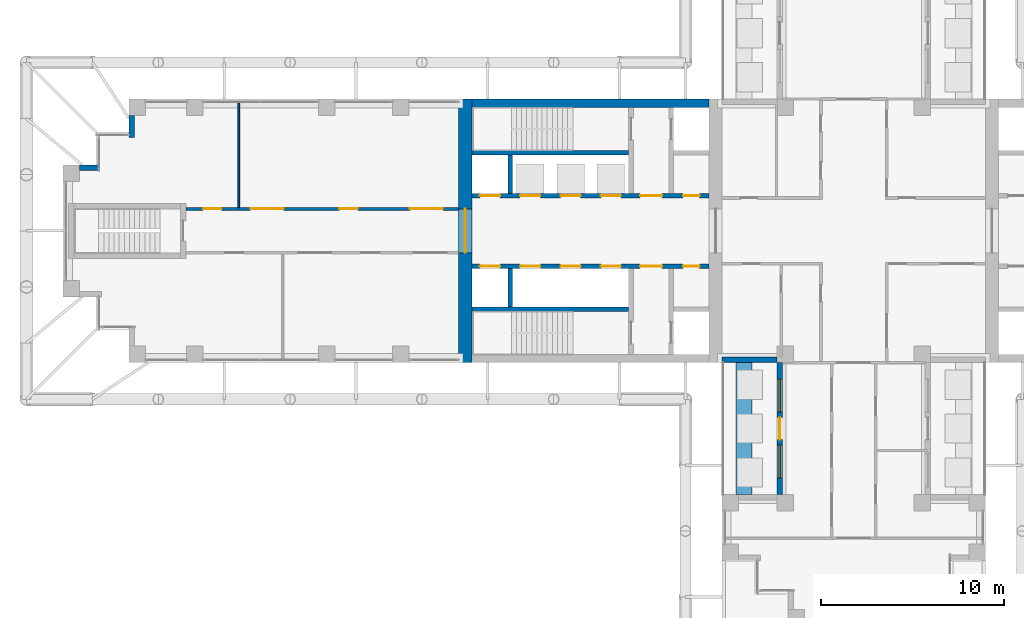
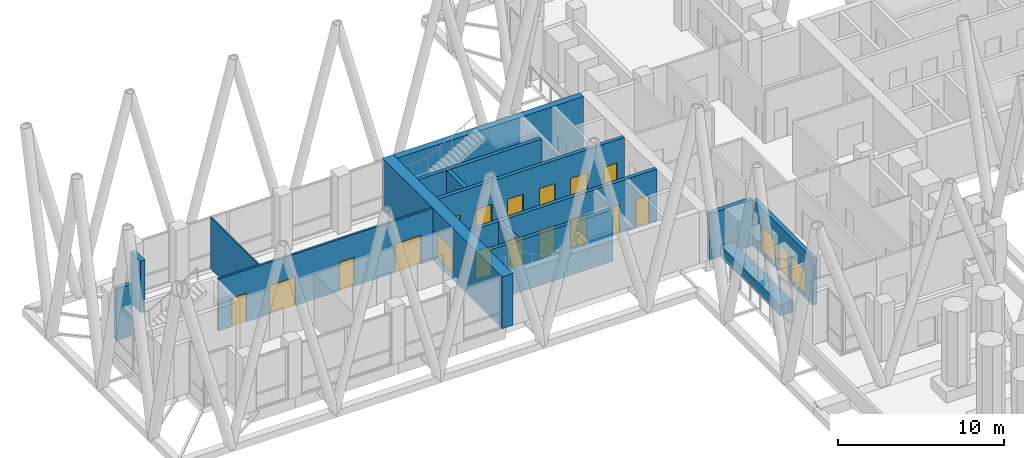
# One storey, part 14 of 22: 18 doors, 15 walls, 2 windows, 20 openings.
"""IFC4 building model written with IfcOpenShell, lengths in metres."""

from ifc_helpers import new_model, si_unit, direction, frame, frame_2d, origin, place, context, subcontext, project, spatial, rectangle, extrude, material, layer, layer_set, type_object, element, fill, save


model = new_model("IFC4")

# Units and contexts
model_context = context("Model", 3, precision=1e-05, world=origin(), true_north=direction((0.0, 1.0)))
body_context = subcontext(model_context, "Body", "Model", "MODEL_VIEW")
ifc_project = project(units=[si_unit("LENGTHUNIT", "METRE"), si_unit("AREAUNIT", "SQUARE_METRE"), si_unit("VOLUMEUNIT", "CUBIC_METRE"), si_unit("PLANEANGLEUNIT", "RADIAN"), si_unit("MASSUNIT", "GRAM", prefix="KILO")], contexts=[model_context])

# Site, building, storey
site_placement = place(None, origin())
site = spatial("IfcSite", under=ifc_project, at=site_placement, CompositionType="ELEMENT")
building_placement = place(site_placement, origin())
building = spatial("IfcBuilding", under=site, at=building_placement, Name="Fustian Cross Tower", CompositionType="ELEMENT")
storey_placement = place(building_placement, frame((0.0, 0.0, 116.10009765625)))
storey = spatial("IfcBuildingStorey", under=building, at=storey_placement, Name="L36", CompositionType="ELEMENT", Elevation=116.10009765625)

# Wall, openings, doors
ifc_material_1 = material(Name="Plasterboard on steel stud", Category="steel")
ifc_layer_1 = layer(ifc_material_1, 0.14990234375)
ifc_layer_set_1 = layer_set([ifc_layer_1], Name="Plasterboard on steel stud")
wall_type_1 = type_object("IfcWallType", Name="COMPARTMENT WALL 150 EI 60", PredefinedType="PARTITIONING", material=ifc_layer_set_1)
wall_1_placement = place(storey_placement, frame((-36.5, 1.199951171875, 0.0), z_axis=(0.0, 0.0, 1.0), x_axis=(1.0, 0.0, 0.0)))
wall_1 = element("IfcWall", 1, at=wall_1_placement, inside=storey, type_object=wall_type_1, Name="Partition 2", PredefinedType="PARTITIONING", context=body_context, shape_type="SweptSolid", body=[
    extrude(rectangle(XDim=14.89990234375, YDim=0.14990234375, at=frame_2d((7.449951171875, 0.0))), origin(), (0.0, 0.0, 1.0), 3.7998046875),
])
opening_1_placement = place(wall_1_placement, frame((3.550048828125, 0.0, 0.0)))
opening_1 = element("IfcOpeningElement", 2, at=opening_1_placement, cuts=wall_1, Name="Opening D17031", PredefinedType="OPENING", context=body_context, shape_type="SweptSolid", body=[
    extrude(rectangle(XDim=1.800048828125, YDim=2.10009765625, at=frame_2d((0.89990234375, 1.050048828125))), frame((0.0, 0.0849609375, 0.0), z_axis=(0.0, -1.0, 0.0), x_axis=(1.0, 0.0, 0.0)), (0.0, 0.0, 1.0), 0.169921875),
])
opening_2_placement = place(wall_1_placement, frame((8.39990234375, 0.0, 0.0)))
opening_2 = element("IfcOpeningElement", 3, at=opening_2_placement, cuts=wall_1, Name="Opening D17032", PredefinedType="OPENING", context=body_context, shape_type="SweptSolid", body=[
    extrude(rectangle(XDim=1.0, YDim=2.10009765625, at=frame_2d((0.5, 1.050048828125))), frame((0.0, 0.0849609375, 0.0), z_axis=(0.0, -1.0, 0.0), x_axis=(1.0, 0.0, 0.0)), (0.0, 0.0, 1.0), 0.169921875),
])
opening_3_placement = place(wall_1_placement, frame((12.25, 0.0, 0.0)))
opening_3 = element("IfcOpeningElement", 4, at=opening_3_placement, cuts=wall_1, Name="Opening D17033", PredefinedType="OPENING", context=body_context, shape_type="SweptSolid", body=[
    extrude(rectangle(XDim=1.800048828125, YDim=2.10009765625, at=frame_2d((0.89990234375, 1.050048828125))), frame((0.0, 0.0849609375, 0.0), z_axis=(0.0, -1.0, 0.0), x_axis=(1.0, 0.0, 0.0)), (0.0, 0.0, 1.0), 0.169921875),
])
opening_4_placement = place(wall_1_placement, frame((0.949951171875, 0.0, 0.0)))
opening_4 = element("IfcOpeningElement", 5, at=opening_4_placement, cuts=wall_1, Name="Opening D17034", PredefinedType="OPENING", context=body_context, shape_type="SweptSolid", body=[
    extrude(rectangle(XDim=1.0, YDim=2.10009765625, at=frame_2d((0.5, 1.050048828125))), frame((0.0, 0.0849609375, 0.0), z_axis=(0.0, -1.0, 0.0), x_axis=(1.0, 0.0, 0.0)), (0.0, 0.0, 1.0), 0.169921875),
])
ifc_material_2 = material(Name="Timber fire door set", Category="wood")
door_type_1 = type_object("IfcDoorType", Name="FIRE DOUBLE DOOR 1800 FD30S", OperationType="DOUBLE_DOOR_DOUBLE_SWING", PredefinedType="DOOR", material=ifc_material_2)
door_1_placement = place(opening_1_placement, frame((1.800048828125, 0.0, 0.0), z_axis=(0.0, 0.0, 1.0), x_axis=(-1.0, 0.0, 0.0)))
door_1 = element("IfcDoor", 6, at=door_1_placement, inside=storey, type_object=door_type_1, Name="Door D17031", OperationType="DOUBLE_DOOR_DOUBLE_SWING", OverallHeight=2.10009765625, OverallWidth=1.800048828125, PredefinedType="DOOR", context=body_context, shape_type="SweptSolid", body=[
    extrude(rectangle(XDim=1.800048828125, YDim=2.10009765625, at=frame_2d((0.89990234375, 1.050048828125))), frame((0.0, 0.02490234375, 0.0), z_axis=(0.0, -1.0, 0.0), x_axis=(1.0, 0.0, 0.0)), (0.0, 0.0, 1.0), 0.050048828125),
])
fill(opening_1, door_1)
door_2_placement = place(opening_3_placement, frame((1.800048828125, 0.0, 0.0), z_axis=(0.0, 0.0, 1.0), x_axis=(-1.0, 0.0, 0.0)))
door_2 = element("IfcDoor", 7, at=door_2_placement, inside=storey, type_object=door_type_1, Name="Door D17033", OperationType="DOUBLE_DOOR_DOUBLE_SWING", OverallHeight=2.10009765625, OverallWidth=1.800048828125, PredefinedType="DOOR", context=body_context, shape_type="SweptSolid", body=[
    extrude(rectangle(XDim=1.800048828125, YDim=2.10009765625, at=frame_2d((0.89990234375, 1.050048828125))), frame((0.0, 0.02490234375, 0.0), z_axis=(0.0, -1.0, 0.0), x_axis=(1.0, 0.0, 0.0)), (0.0, 0.0, 1.0), 0.050048828125),
])
fill(opening_3, door_2)
ifc_material_3 = material(Name="Timber fire door set", Category="wood")
door_type_2 = type_object("IfcDoorType", Name="FIRE SWING DOOR 1000 FD30S", OperationType="SINGLE_SWING_LEFT", PredefinedType="DOOR", material=ifc_material_3)
door_3_placement = place(opening_2_placement, origin())
door_3 = element("IfcDoor", 8, at=door_3_placement, inside=storey, type_object=door_type_2, Name="Door D17032", OperationType="SINGLE_SWING_LEFT", OverallHeight=2.10009765625, OverallWidth=1.0, PredefinedType="DOOR", context=body_context, shape_type="SweptSolid", body=[
    extrude(rectangle(XDim=1.0, YDim=2.10009765625, at=frame_2d((0.5, 1.050048828125))), frame((0.0, 0.02490234375, 0.0), z_axis=(0.0, -1.0, 0.0), x_axis=(1.0, 0.0, 0.0)), (0.0, 0.0, 1.0), 0.050048828125),
])
fill(opening_2, door_3)
door_4_placement = place(opening_4_placement, origin())
door_4 = element("IfcDoor", 9, at=door_4_placement, inside=storey, type_object=door_type_2, Name="Door D17034", OperationType="SINGLE_SWING_RIGHT", OverallHeight=2.10009765625, OverallWidth=1.0, PredefinedType="DOOR", context=body_context, shape_type="SweptSolid", body=[
    extrude(rectangle(XDim=1.0, YDim=2.10009765625, at=frame_2d((0.5, 1.050048828125))), frame((0.0, 0.02490234375, 0.0), z_axis=(0.0, -1.0, 0.0), x_axis=(1.0, 0.0, 0.0)), (0.0, 0.0, 1.0), 0.050048828125),
])
fill(opening_4, door_4)

# Wall, opening, door
ifc_material_4 = material(Name="Concrete C60/75", Category="concrete")
ifc_layer_2 = layer(ifc_material_4, 0.75)
ifc_layer_set_2 = layer_set([ifc_layer_2], Name="Concrete C60/75")
wall_type_2 = type_object("IfcWallType", Name="CORE END WALL 750 C60/75", PredefinedType="SHEAR", material=ifc_layer_set_2)
wall_2_placement = place(storey_placement, frame((-21.22509765625, -7.199951171875, 0.0), z_axis=(0.0, 0.0, 1.0), x_axis=(0.0, 1.0, 0.0)))
wall_2 = element("IfcWall", 10, at=wall_2_placement, inside=storey, type_object=wall_type_2, Name="Core end wall", PredefinedType="SHEAR", context=body_context, shape_type="SweptSolid", body=[
    extrude(rectangle(XDim=14.39990234375, YDim=0.75, at=frame_2d((7.199951171875, 0.0))), origin(), (0.0, 0.0, 1.0), 3.7998046875),
])
opening_5_placement = place(wall_2_placement, frame((6.0, 0.0, 0.0)))
opening_5 = element("IfcOpeningElement", 11, at=opening_5_placement, cuts=wall_2, Name="Opening CD-14-36", PredefinedType="OPENING", context=body_context, shape_type="SweptSolid", body=[
    extrude(rectangle(XDim=2.39990234375, YDim=2.199951171875, at=frame_2d((1.199951171875, 1.10009765625))), frame((0.0, 0.385009765625, 0.0), z_axis=(0.0, -1.0, 0.0), x_axis=(1.0, 0.0, 0.0)), (0.0, 0.0, 1.0), 0.77001953125),
])
ifc_material_5 = material(Name="Steel", Category="steel")
door_type_3 = type_object("IfcDoorType", Name="FIRE DOOR FD30S DOUBLE 2400X2200", OperationType="DOUBLE_DOOR_DOUBLE_SWING", PredefinedType="DOOR", material=ifc_material_5)
door_5_placement = place(opening_5_placement, frame((2.39990234375, 0.0, 0.0), z_axis=(0.0, 0.0, 1.0), x_axis=(-1.0, 0.0, 0.0)))
door_5 = element("IfcDoor", 12, at=door_5_placement, inside=storey, type_object=door_type_3, Name="Core door CD-14-36", OperationType="DOUBLE_DOOR_DOUBLE_SWING", OverallHeight=2.199951171875, OverallWidth=2.39990234375, PredefinedType="DOOR", context=body_context, shape_type="SweptSolid", body=[
    extrude(rectangle(XDim=2.39990234375, YDim=2.199951171875, at=frame_2d((1.199951171875, 1.10009765625))), frame((0.0, 0.02490234375, 0.0), z_axis=(0.0, -1.0, 0.0), x_axis=(1.0, 0.0, 0.0)), (0.0, 0.0, 1.0), 0.050048828125),
])
fill(opening_5, door_5)

# Wall
ifc_material_6 = material(Name="Concrete C60/75", Category="concrete")
ifc_layer_3 = layer(ifc_material_6, 0.449951171875)
ifc_layer_set_3 = layer_set([ifc_layer_3], Name="Concrete C60/75")
wall_type_3 = type_object("IfcWallType", Name="CORE FACADE WALL 450 C60/75", PredefinedType="SHEAR", material=ifc_layer_set_3)
wall_3_placement = place(storey_placement, frame((-7.89990234375, 6.97509765625, 0.0), z_axis=(0.0, 0.0, 1.0), x_axis=(-1.0, 0.0, 0.0)))
element("IfcWall", 13, at=wall_3_placement, inside=storey, type_object=wall_type_3, Name="Core facade wall", PredefinedType="SHEAR", context=body_context, shape_type="SweptSolid", body=[
    extrude(rectangle(XDim=12.9501953125, YDim=0.449951171875, at=frame_2d((6.47509765625, 0.0))), origin(), (0.0, 0.0, 1.0), 3.7998046875),
])

# Wall, openings, doors
ifc_material_7 = material(Name="Concrete C50/60", Category="concrete")
ifc_layer_4 = layer(ifc_material_7, 0.25)
ifc_layer_set_4 = layer_set([ifc_layer_4], Name="Concrete C50/60")
wall_type_4 = type_object("IfcWallType", Name="CORE LOBBY WALL 250 C50/60", PredefinedType="SHEAR", material=ifc_layer_set_4)
wall_4_placement = place(storey_placement, frame((-7.89990234375, 1.925048828125, 0.0), z_axis=(0.0, 0.0, 1.0), x_axis=(-1.0, 0.0, 0.0)))
wall_4 = element("IfcWall", 14, at=wall_4_placement, inside=storey, type_object=wall_type_4, Name="Core lobby wall", PredefinedType="SHEAR", context=body_context, shape_type="SweptSolid", body=[
    extrude(rectangle(XDim=12.9501953125, YDim=0.25, at=frame_2d((6.47509765625, 0.0))), origin(), (0.0, 0.0, 1.0), 3.7998046875),
])
opening_6_placement = place(wall_4_placement, frame((4.824951171875, 0.0, 0.0)))
opening_6 = element("IfcOpeningElement", 15, at=opening_6_placement, cuts=wall_4, Name="Opening LD", PredefinedType="OPENING", context=body_context, shape_type="SweptSolid", body=[
    extrude(rectangle(XDim=1.10009765625, YDim=2.10009765625, at=frame_2d((0.550048828125, 1.050048828125))), frame((0.0, 0.135009765625, 0.0), z_axis=(0.0, -1.0, 0.0), x_axis=(1.0, 0.0, 0.0)), (0.0, 0.0, 1.0), 0.27001953125),
])
opening_7_placement = place(wall_4_placement, frame((7.02490234375, 0.0, 0.0)))
opening_7 = element("IfcOpeningElement", 16, at=opening_7_placement, cuts=wall_4, Name="Opening LD", PredefinedType="OPENING", context=body_context, shape_type="SweptSolid", body=[
    extrude(rectangle(XDim=1.10009765625, YDim=2.10009765625, at=frame_2d((0.550048828125, 1.050048828125))), frame((0.0, 0.135009765625, 0.0), z_axis=(0.0, -1.0, 0.0), x_axis=(1.0, 0.0, 0.0)), (0.0, 0.0, 1.0), 0.27001953125),
])
opening_8_placement = place(wall_4_placement, frame((9.22509765625, 0.0, 0.0)))
opening_8 = element("IfcOpeningElement", 17, at=opening_8_placement, cuts=wall_4, Name="Opening LD", PredefinedType="OPENING", context=body_context, shape_type="SweptSolid", body=[
    extrude(rectangle(XDim=1.10009765625, YDim=2.10009765625, at=frame_2d((0.550048828125, 1.050048828125))), frame((0.0, 0.135009765625, 0.0), z_axis=(0.0, -1.0, 0.0), x_axis=(1.0, 0.0, 0.0)), (0.0, 0.0, 1.0), 0.27001953125),
])
opening_9_placement = place(wall_4_placement, frame((11.425048828125, 0.0, 0.0)))
opening_9 = element("IfcOpeningElement", 18, at=opening_9_placement, cuts=wall_4, Name="Opening LD", PredefinedType="OPENING", context=body_context, shape_type="SweptSolid", body=[
    extrude(rectangle(XDim=1.10009765625, YDim=2.10009765625, at=frame_2d((0.550048828125, 1.050048828125))), frame((0.0, 0.135009765625, 0.0), z_axis=(0.0, -1.0, 0.0), x_axis=(1.0, 0.0, 0.0)), (0.0, 0.0, 1.0), 0.27001953125),
])
opening_10_placement = place(wall_4_placement, frame((0.52490234375, 0.0, 0.0)))
opening_10 = element("IfcOpeningElement", 19, at=opening_10_placement, cuts=wall_4, Name="Opening CD-14-31", PredefinedType="OPENING", context=body_context, shape_type="SweptSolid", body=[
    extrude(rectangle(XDim=0.89990234375, YDim=2.10009765625, at=frame_2d((0.449951171875, 1.050048828125))), frame((0.0, 0.135009765625, 0.0), z_axis=(0.0, -1.0, 0.0), x_axis=(1.0, 0.0, 0.0)), (0.0, 0.0, 1.0), 0.27001953125),
])
opening_11_placement = place(wall_4_placement, frame((2.574951171875, 0.0, 0.0)))
opening_11 = element("IfcOpeningElement", 20, at=opening_11_placement, cuts=wall_4, Name="Opening CD-14-33", PredefinedType="OPENING", context=body_context, shape_type="SweptSolid", body=[
    extrude(rectangle(XDim=1.199951171875, YDim=2.10009765625, at=frame_2d((0.60009765625, 1.050048828125))), frame((0.0, 0.135009765625, 0.0), z_axis=(0.0, -1.0, 0.0), x_axis=(1.0, 0.0, 0.0)), (0.0, 0.0, 1.0), 0.27001953125),
])
ifc_material_8 = material(Name="Steel", Category="steel")
door_type_4 = type_object("IfcDoorType", Name="FIRE DOOR FD60S 1200X2100", OperationType="SINGLE_SWING_LEFT", PredefinedType="DOOR", material=ifc_material_8)
door_6_placement = place(opening_11_placement, frame((1.199951171875, 0.0, 0.0), z_axis=(0.0, 0.0, 1.0), x_axis=(-1.0, 0.0, 0.0)))
door_6 = element("IfcDoor", 21, at=door_6_placement, inside=storey, type_object=door_type_4, Name="Core door CD-14-33", OperationType="SINGLE_SWING_RIGHT", OverallHeight=2.10009765625, OverallWidth=1.199951171875, PredefinedType="DOOR", context=body_context, shape_type="SweptSolid", body=[
    extrude(rectangle(XDim=1.199951171875, YDim=2.10009765625, at=frame_2d((0.60009765625, 1.050048828125))), frame((0.0, 0.02490234375, 0.0), z_axis=(0.0, -1.0, 0.0), x_axis=(1.0, 0.0, 0.0)), (0.0, 0.0, 1.0), 0.050048828125),
])
fill(opening_11, door_6)
ifc_material_9 = material(Name="Steel", Category="steel")
door_type_5 = type_object("IfcDoorType", Name="FIRE DOOR FD60S 900X2100", OperationType="SINGLE_SWING_LEFT", PredefinedType="DOOR", material=ifc_material_9)
door_7_placement = place(opening_10_placement, frame((0.89990234375, 0.0, 0.0), z_axis=(0.0, 0.0, 1.0), x_axis=(-1.0, 0.0, 0.0)))
door_7 = element("IfcDoor", 22, at=door_7_placement, inside=storey, type_object=door_type_5, Name="Core door CD-14-31", OperationType="SINGLE_SWING_RIGHT", OverallHeight=2.10009765625, OverallWidth=0.89990234375, PredefinedType="DOOR", context=body_context, shape_type="SweptSolid", body=[
    extrude(rectangle(XDim=0.89990234375, YDim=2.10009765625, at=frame_2d((0.449951171875, 1.050048828125))), frame((0.0, 0.02490234375, 0.0), z_axis=(0.0, -1.0, 0.0), x_axis=(1.0, 0.0, 0.0)), (0.0, 0.0, 1.0), 0.050048828125),
])
fill(opening_10, door_7)
ifc_material_10 = material(Name="Stainless steel", Category="steel")
door_type_6 = type_object("IfcDoorType", Name="LIFT LANDING DOOR 1100X2100", OperationType="SLIDING_TO_LEFT", PredefinedType="DOOR", material=ifc_material_10)
door_8_placement = place(opening_6_placement, origin())
door_8 = element("IfcDoor", 23, at=door_8_placement, inside=storey, type_object=door_type_6, Name="Landing door HR1W", OperationType="SLIDING_TO_LEFT", OverallHeight=2.10009765625, OverallWidth=1.10009765625, PredefinedType="DOOR", context=body_context, shape_type="SweptSolid", body=[
    extrude(rectangle(XDim=1.10009765625, YDim=2.10009765625, at=frame_2d((0.550048828125, 1.050048828125))), frame((0.0, 0.02490234375, 0.0), z_axis=(0.0, -1.0, 0.0), x_axis=(1.0, 0.0, 0.0)), (0.0, 0.0, 1.0), 0.050048828125),
])
fill(opening_6, door_8)
door_9_placement = place(opening_7_placement, origin())
door_9 = element("IfcDoor", 24, at=door_9_placement, inside=storey, type_object=door_type_6, Name="Landing door HR2W", OperationType="SLIDING_TO_LEFT", OverallHeight=2.10009765625, OverallWidth=1.10009765625, PredefinedType="DOOR", context=body_context, shape_type="SweptSolid", body=[
    extrude(rectangle(XDim=1.10009765625, YDim=2.10009765625, at=frame_2d((0.550048828125, 1.050048828125))), frame((0.0, 0.02490234375, 0.0), z_axis=(0.0, -1.0, 0.0), x_axis=(1.0, 0.0, 0.0)), (0.0, 0.0, 1.0), 0.050048828125),
])
fill(opening_7, door_9)
door_10_placement = place(opening_8_placement, origin())
door_10 = element("IfcDoor", 25, at=door_10_placement, inside=storey, type_object=door_type_6, Name="Landing door HR3W", OperationType="SLIDING_TO_LEFT", OverallHeight=2.10009765625, OverallWidth=1.10009765625, PredefinedType="DOOR", context=body_context, shape_type="SweptSolid", body=[
    extrude(rectangle(XDim=1.10009765625, YDim=2.10009765625, at=frame_2d((0.550048828125, 1.050048828125))), frame((0.0, 0.02490234375, 0.0), z_axis=(0.0, -1.0, 0.0), x_axis=(1.0, 0.0, 0.0)), (0.0, 0.0, 1.0), 0.050048828125),
])
fill(opening_8, door_10)
door_11_placement = place(opening_9_placement, origin())
door_11 = element("IfcDoor", 26, at=door_11_placement, inside=storey, type_object=door_type_6, Name="Landing door SH2W", OperationType="SLIDING_TO_LEFT", OverallHeight=2.10009765625, OverallWidth=1.10009765625, PredefinedType="DOOR", context=body_context, shape_type="SweptSolid", body=[
    extrude(rectangle(XDim=1.10009765625, YDim=2.10009765625, at=frame_2d((0.550048828125, 1.050048828125))), frame((0.0, 0.02490234375, 0.0), z_axis=(0.0, -1.0, 0.0), x_axis=(1.0, 0.0, 0.0)), (0.0, 0.0, 1.0), 0.050048828125),
])
fill(opening_9, door_11)

wall_5_placement = place(storey_placement, frame((-7.89990234375, -1.925048828125, 0.0), z_axis=(0.0, 0.0, 1.0), x_axis=(-1.0, 0.0, 0.0)))
wall_5 = element("IfcWall", 27, at=wall_5_placement, inside=storey, type_object=wall_type_4, Name="Core lobby wall", PredefinedType="SHEAR", context=body_context, shape_type="SweptSolid", body=[
    extrude(rectangle(XDim=12.9501953125, YDim=0.25, at=frame_2d((6.47509765625, 0.0))), origin(), (0.0, 0.0, 1.0), 3.7998046875),
])
opening_12_placement = place(wall_5_placement, frame((4.824951171875, 0.0, 0.0)))
opening_12 = element("IfcOpeningElement", 28, at=opening_12_placement, cuts=wall_5, Name="Opening LD", PredefinedType="OPENING", context=body_context, shape_type="SweptSolid", body=[
    extrude(rectangle(XDim=1.10009765625, YDim=2.10009765625, at=frame_2d((0.550048828125, 1.050048828125))), frame((0.0, 0.135009765625, 0.0), z_axis=(0.0, -1.0, 0.0), x_axis=(1.0, 0.0, 0.0)), (0.0, 0.0, 1.0), 0.27001953125),
])
opening_13_placement = place(wall_5_placement, frame((7.02490234375, 0.0, 0.0)))
opening_13 = element("IfcOpeningElement", 29, at=opening_13_placement, cuts=wall_5, Name="Opening LD", PredefinedType="OPENING", context=body_context, shape_type="SweptSolid", body=[
    extrude(rectangle(XDim=1.10009765625, YDim=2.10009765625, at=frame_2d((0.550048828125, 1.050048828125))), frame((0.0, 0.135009765625, 0.0), z_axis=(0.0, -1.0, 0.0), x_axis=(1.0, 0.0, 0.0)), (0.0, 0.0, 1.0), 0.27001953125),
])
opening_14_placement = place(wall_5_placement, frame((9.22509765625, 0.0, 0.0)))
opening_14 = element("IfcOpeningElement", 30, at=opening_14_placement, cuts=wall_5, Name="Opening LD", PredefinedType="OPENING", context=body_context, shape_type="SweptSolid", body=[
    extrude(rectangle(XDim=1.10009765625, YDim=2.10009765625, at=frame_2d((0.550048828125, 1.050048828125))), frame((0.0, 0.135009765625, 0.0), z_axis=(0.0, -1.0, 0.0), x_axis=(1.0, 0.0, 0.0)), (0.0, 0.0, 1.0), 0.27001953125),
])
opening_15_placement = place(wall_5_placement, frame((11.425048828125, 0.0, 0.0)))
opening_15 = element("IfcOpeningElement", 31, at=opening_15_placement, cuts=wall_5, Name="Opening LD", PredefinedType="OPENING", context=body_context, shape_type="SweptSolid", body=[
    extrude(rectangle(XDim=1.10009765625, YDim=2.10009765625, at=frame_2d((0.550048828125, 1.050048828125))), frame((0.0, 0.135009765625, 0.0), z_axis=(0.0, -1.0, 0.0), x_axis=(1.0, 0.0, 0.0)), (0.0, 0.0, 1.0), 0.27001953125),
])
opening_16_placement = place(wall_5_placement, frame((0.52490234375, 0.0, 0.0)))
opening_16 = element("IfcOpeningElement", 32, at=opening_16_placement, cuts=wall_5, Name="Opening CD-14-32", PredefinedType="OPENING", context=body_context, shape_type="SweptSolid", body=[
    extrude(rectangle(XDim=0.89990234375, YDim=2.10009765625, at=frame_2d((0.449951171875, 1.050048828125))), frame((0.0, 0.135009765625, 0.0), z_axis=(0.0, -1.0, 0.0), x_axis=(1.0, 0.0, 0.0)), (0.0, 0.0, 1.0), 0.27001953125),
])
opening_17_placement = place(wall_5_placement, frame((2.574951171875, 0.0, 0.0)))
opening_17 = element("IfcOpeningElement", 33, at=opening_17_placement, cuts=wall_5, Name="Opening CD-14-34", PredefinedType="OPENING", context=body_context, shape_type="SweptSolid", body=[
    extrude(rectangle(XDim=1.199951171875, YDim=2.10009765625, at=frame_2d((0.60009765625, 1.050048828125))), frame((0.0, 0.135009765625, 0.0), z_axis=(0.0, -1.0, 0.0), x_axis=(1.0, 0.0, 0.0)), (0.0, 0.0, 1.0), 0.27001953125),
])
ifc_material_11 = material(Name="Steel", Category="steel")
door_type_7 = type_object("IfcDoorType", Name="FIRE DOOR FD30S 1200X2100", OperationType="SINGLE_SWING_LEFT", PredefinedType="DOOR", material=ifc_material_11)
door_12_placement = place(opening_17_placement, frame((1.199951171875, 0.0, 0.0), z_axis=(0.0, 0.0, 1.0), x_axis=(-1.0, 0.0, 0.0)))
door_12 = element("IfcDoor", 34, at=door_12_placement, inside=storey, type_object=door_type_7, Name="Core door CD-14-34", OperationType="SINGLE_SWING_RIGHT", OverallHeight=2.10009765625, OverallWidth=1.199951171875, PredefinedType="DOOR", context=body_context, shape_type="SweptSolid", body=[
    extrude(rectangle(XDim=1.199951171875, YDim=2.10009765625, at=frame_2d((0.60009765625, 1.050048828125))), frame((0.0, 0.02490234375, 0.0), z_axis=(0.0, -1.0, 0.0), x_axis=(1.0, 0.0, 0.0)), (0.0, 0.0, 1.0), 0.050048828125),
])
fill(opening_17, door_12)
ifc_material_12 = material(Name="Steel", Category="steel")
door_type_8 = type_object("IfcDoorType", Name="FIRE DOOR FD30S 900X2100", OperationType="SINGLE_SWING_LEFT", PredefinedType="DOOR", material=ifc_material_12)
door_13_placement = place(opening_16_placement, origin())
door_13 = element("IfcDoor", 35, at=door_13_placement, inside=storey, type_object=door_type_8, Name="Core door CD-14-32", OperationType="SINGLE_SWING_LEFT", OverallHeight=2.10009765625, OverallWidth=0.89990234375, PredefinedType="DOOR", context=body_context, shape_type="SweptSolid", body=[
    extrude(rectangle(XDim=0.89990234375, YDim=2.10009765625, at=frame_2d((0.449951171875, 1.050048828125))), frame((0.0, 0.02490234375, 0.0), z_axis=(0.0, -1.0, 0.0), x_axis=(1.0, 0.0, 0.0)), (0.0, 0.0, 1.0), 0.050048828125),
])
fill(opening_16, door_13)
door_14_placement = place(opening_12_placement, origin())
door_14 = element("IfcDoor", 36, at=door_14_placement, inside=storey, type_object=door_type_6, Name="Landing door LR1W", OperationType="SLIDING_TO_LEFT", OverallHeight=2.10009765625, OverallWidth=1.10009765625, PredefinedType="DOOR", context=body_context, shape_type="SweptSolid", body=[
    extrude(rectangle(XDim=1.10009765625, YDim=2.10009765625, at=frame_2d((0.550048828125, 1.050048828125))), frame((0.0, 0.02490234375, 0.0), z_axis=(0.0, -1.0, 0.0), x_axis=(1.0, 0.0, 0.0)), (0.0, 0.0, 1.0), 0.050048828125),
])
fill(opening_12, door_14)
door_15_placement = place(opening_13_placement, origin())
door_15 = element("IfcDoor", 37, at=door_15_placement, inside=storey, type_object=door_type_6, Name="Landing door LR2W", OperationType="SLIDING_TO_LEFT", OverallHeight=2.10009765625, OverallWidth=1.10009765625, PredefinedType="DOOR", context=body_context, shape_type="SweptSolid", body=[
    extrude(rectangle(XDim=1.10009765625, YDim=2.10009765625, at=frame_2d((0.550048828125, 1.050048828125))), frame((0.0, 0.02490234375, 0.0), z_axis=(0.0, -1.0, 0.0), x_axis=(1.0, 0.0, 0.0)), (0.0, 0.0, 1.0), 0.050048828125),
])
fill(opening_13, door_15)
door_16_placement = place(opening_14_placement, origin())
door_16 = element("IfcDoor", 38, at=door_16_placement, inside=storey, type_object=door_type_6, Name="Landing door LR3W", OperationType="SLIDING_TO_LEFT", OverallHeight=2.10009765625, OverallWidth=1.10009765625, PredefinedType="DOOR", context=body_context, shape_type="SweptSolid", body=[
    extrude(rectangle(XDim=1.10009765625, YDim=2.10009765625, at=frame_2d((0.550048828125, 1.050048828125))), frame((0.0, 0.02490234375, 0.0), z_axis=(0.0, -1.0, 0.0), x_axis=(1.0, 0.0, 0.0)), (0.0, 0.0, 1.0), 0.050048828125),
])
fill(opening_14, door_16)
door_17_placement = place(opening_15_placement, origin())
door_17 = element("IfcDoor", 39, at=door_17_placement, inside=storey, type_object=door_type_6, Name="Landing door SH1W", OperationType="SLIDING_TO_LEFT", OverallHeight=2.10009765625, OverallWidth=1.10009765625, PredefinedType="DOOR", context=body_context, shape_type="SweptSolid", body=[
    extrude(rectangle(XDim=1.10009765625, YDim=2.10009765625, at=frame_2d((0.550048828125, 1.050048828125))), frame((0.0, 0.02490234375, 0.0), z_axis=(0.0, -1.0, 0.0), x_axis=(1.0, 0.0, 0.0)), (0.0, 0.0, 1.0), 0.050048828125),
])
fill(opening_15, door_17)

# Walls
ifc_material_13 = material(Name="Concrete C50/60", Category="concrete")
ifc_layer_5 = layer(ifc_material_13, 0.25)
ifc_layer_set_5 = layer_set([ifc_layer_5], Name="Concrete C50/60")
wall_type_5 = type_object("IfcWallType", Name="CORE SHAFT WALL 250 C50/60", PredefinedType="SHEAR", material=ifc_layer_set_5)
for number, where, z_axis, x_axis, name in (
    (40, (-12.300048828125, 4.27490234375, 0.0), (0.0, 0.0, 1.0), (-1.0, 0.0, 0.0), "Core shaft wall"),
    (41, (-12.300048828125, -4.27490234375, 0.0), (0.0, 0.0, 1.0), (-1.0, 0.0, 0.0), "Core shaft wall"),
):
    element("IfcWall", number, at=place(storey_placement, frame(where, z_axis=z_axis, x_axis=x_axis)), inside=storey, type_object=wall_type_5, Name=name, PredefinedType="SHEAR", context=body_context, shape_type="SweptSolid", body=[
        extrude(rectangle(XDim=8.550048828125, YDim=0.25, at=frame_2d((4.27490234375, 0.0))), origin(), (0.0, 0.0, 1.0), 3.7998046875),
    ])
ifc_material_14 = material(Name="Plasterboard on steel stud", Category="steel")
ifc_layer_6 = layer(ifc_material_14, 0.10009765625)
ifc_layer_set_6 = layer_set([ifc_layer_6], Name="Plasterboard on steel stud")
wall_type_6 = type_object("IfcWallType", Name="PARTITION 100 STUD", PredefinedType="PARTITIONING", material=ifc_layer_set_6)
wall_6_placement = place(storey_placement, frame((-33.60009765625, 1.27490234375, 0.0), z_axis=(0.0, 0.0, 1.0), x_axis=(0.0, 1.0, 0.0)))
element("IfcWall", 42, at=wall_6_placement, inside=storey, type_object=wall_type_6, Name="Partition 3", PredefinedType="PARTITIONING", context=body_context, shape_type="SweptSolid", body=[
    extrude(rectangle(XDim=5.7451171875, YDim=0.10009765625, at=frame_2d((2.87255859375, 0.0))), origin(), (0.0, 0.0, 1.0), 3.7998046875),
])
ifc_material_15 = material(Name="Concrete C40/50", Category="concrete")
ifc_layer_7 = layer(ifc_material_15, 0.89990234375)
ifc_layer_set_7 = layer_set([ifc_layer_7], Name="Concrete C40/50")
wall_type_7 = type_object("IfcWallType", Name="PK1 PLANTER 900", PredefinedType="PARAPET", material=ifc_layer_set_7)
wall_7_placement = place(storey_placement, frame((-6.0, -14.39990234375, 0.0), z_axis=(0.0, 0.0, 1.0), x_axis=(0.0, 1.0, 0.0)))
element("IfcWall", 43, at=wall_7_placement, inside=storey, type_object=wall_type_7, Name="PLANTER", PredefinedType="PARAPET", context=body_context, shape_type="SweptSolid", body=[
    extrude(rectangle(XDim=7.199951171875, YDim=0.89990234375, at=frame_2d((3.60009765625, 0.0))), origin(), (0.0, 0.0, 1.0), 0.7998046875),
])
ifc_material_16 = material(Name="Concrete C40/50", Category="concrete")
ifc_layer_8 = layer(ifc_material_16, 0.25)
ifc_layer_set_8 = layer_set([ifc_layer_8], Name="Concrete C40/50")
wall_type_8 = type_object("IfcWallType", Name="SHAFT PARTITION WALL 250 C40/50", PredefinedType="PARTITIONING", material=ifc_layer_set_8)
for number, where, z_axis, x_axis, name in (
    (44, (-18.77490234375, 2.050048828125, 0.0), (0.0, 0.0, 1.0), (0.0, 1.0, 0.0), "Core shaft wall"),
    (45, (-18.77490234375, -2.050048828125, 0.0), (0.0, 0.0, 1.0), (0.0, -1.0, 0.0), "Core shaft wall"),
):
    element("IfcWall", number, at=place(storey_placement, frame(where, z_axis=z_axis, x_axis=x_axis)), inside=storey, type_object=wall_type_8, Name=name, PredefinedType="PARTITIONING", context=body_context, shape_type="SweptSolid", body=[
        extrude(rectangle(XDim=2.099853515625, YDim=0.25, at=frame_2d((1.0498046875, 0.0))), origin(), (0.0, 0.0, 1.0), 3.7998046875),
    ])
ifc_material_17 = material(Name="Dark aluminium cladding on insulated backing wall", Category="aluminium")
ifc_layer_9 = layer(ifc_material_17, 0.300048828125)
ifc_layer_set_9 = layer_set([ifc_layer_9], Name="Dark aluminium cladding on insulated backing wall")
wall_type_9 = type_object("IfcWallType", Name="XW1 EXTERNAL WALL 300", PredefinedType="SOLIDWALL", material=ifc_layer_set_9)
wall_8_placement = place(storey_placement, frame((-39.449951171875, 6.300048828125, 0.0), z_axis=(0.0, 0.0, 1.0), x_axis=(0.0, -1.0, 0.0)))
element("IfcWall", 46, at=wall_8_placement, inside=storey, type_object=wall_type_9, Name="External wall", PredefinedType="SOLIDWALL", context=body_context, shape_type="SweptSolid", body=[
    extrude(rectangle(XDim=1.199951171875, YDim=0.300048828125, at=frame_2d((0.60009765625, 0.0))), origin(), (0.0, 0.0, 1.0), 3.7998046875),
])
wall_9_placement = place(storey_placement, frame((-41.280029296875, 3.449951171875, 0.0), z_axis=(0.0, 0.0, 1.0), x_axis=(-1.0, 0.0, 0.0)))
element("IfcWall", 47, at=wall_9_placement, inside=storey, type_object=wall_type_9, Name="External wall", PredefinedType="SOLIDWALL", context=body_context, shape_type="SweptSolid", body=[
    extrude(rectangle(XDim=1.02001953125, YDim=0.300048828125, at=frame_2d((0.510009765625, 0.0))), origin(), (0.0, 0.0, 1.0), 3.7998046875),
])
wall_10_placement = place(storey_placement, frame((-7.199951171875, -7.050048828125, 0.0), z_axis=(0.0, 0.0, 1.0), x_axis=(1.0, 0.0, 0.0)))
element("IfcWall", 48, at=wall_10_placement, inside=storey, type_object=wall_type_9, Name="External wall", PredefinedType="SOLIDWALL", context=body_context, shape_type="SweptSolid", body=[
    extrude(rectangle(XDim=3.0, YDim=0.300048828125, at=frame_2d((1.5, 0.0))), origin(), (0.0, 0.0, 1.0), 3.39990234375),
])

# Wall, openings, door, windows
wall_11_placement = place(storey_placement, frame((-4.050048828125, -7.199951171875, 0.0), z_axis=(0.0, 0.0, 1.0), x_axis=(0.0, -1.0, 0.0)))
wall_11 = element("IfcWall", 49, at=wall_11_placement, inside=storey, type_object=wall_type_9, Name="External wall", PredefinedType="SOLIDWALL", context=body_context, shape_type="SweptSolid", body=[
    extrude(rectangle(XDim=7.199951171875, YDim=0.300048828125, at=frame_2d((3.60009765625, 0.0))), origin(), (0.0, 0.0, 1.0), 3.39990234375),
])
opening_18_placement = place(wall_11_placement, frame((3.0, 0.0, 0.0)))
opening_18 = element("IfcOpeningElement", 50, at=opening_18_placement, cuts=wall_11, Name="Opening XD4", PredefinedType="OPENING", context=body_context, shape_type="SweptSolid", body=[
    extrude(rectangle(XDim=1.199951171875, YDim=2.050048828125, at=frame_2d((0.60009765625, 1.02490234375))), frame((0.0, 0.159912109375, 0.0), z_axis=(0.0, -1.0, 0.0), x_axis=(1.0, 0.0, 0.0)), (0.0, 0.0, 1.0), 0.320068359375),
])
opening_19_placement = place(wall_11_placement, frame((0.89990234375, 0.0, 0.199951171875)))
opening_19 = element("IfcOpeningElement", 51, at=opening_19_placement, cuts=wall_11, Name="Opening WN2", PredefinedType="OPENING", context=body_context, shape_type="SweptSolid", body=[
    extrude(rectangle(XDim=1.800048828125, YDim=1.85009765625, at=frame_2d((0.89990234375, 0.925048828125))), frame((0.0, 0.159912109375, 0.0), z_axis=(0.0, -1.0, 0.0), x_axis=(1.0, 0.0, 0.0)), (0.0, 0.0, 1.0), 0.320068359375),
])
opening_20_placement = place(wall_11_placement, frame((4.5, 0.0, 0.199951171875)))
opening_20 = element("IfcOpeningElement", 52, at=opening_20_placement, cuts=wall_11, Name="Opening WN2", PredefinedType="OPENING", context=body_context, shape_type="SweptSolid", body=[
    extrude(rectangle(XDim=1.800048828125, YDim=1.85009765625, at=frame_2d((0.89990234375, 0.925048828125))), frame((0.0, 0.159912109375, 0.0), z_axis=(0.0, -1.0, 0.0), x_axis=(1.0, 0.0, 0.0)), (0.0, 0.0, 1.0), 0.320068359375),
])
ifc_material_18 = material(Name="Dark anodised aluminium and double glazing", Category="aluminium")
door_type_9 = type_object("IfcDoorType", Name="ED1 BALCONY DOOR 1200X2050", OperationType="SINGLE_SWING_LEFT", PredefinedType="DOOR", material=ifc_material_18)
door_18_placement = place(opening_18_placement, origin())
door_18 = element("IfcDoor", 53, at=door_18_placement, inside=storey, type_object=door_type_9, Name="Balcony door", OperationType="SINGLE_SWING_LEFT", OverallHeight=2.050048828125, OverallWidth=1.199951171875, PredefinedType="DOOR", context=body_context, shape_type="SweptSolid", body=[
    extrude(rectangle(XDim=1.199951171875, YDim=2.050048828125, at=frame_2d((0.60009765625, 1.02490234375))), frame((0.0, 0.02490234375, 0.0), z_axis=(0.0, -1.0, 0.0), x_axis=(1.0, 0.0, 0.0)), (0.0, 0.0, 1.0), 0.050048828125),
])
fill(opening_18, door_18)
ifc_material_19 = material(Name="Dark anodised aluminium and double glazing", Category="aluminium")
window_type = type_object("IfcWindowType", Name="WN2 WINDOW 1800X1850", PartitioningType="SINGLE_PANEL", PredefinedType="WINDOW", material=ifc_material_19)
window_1_placement = place(opening_19_placement, origin())
window_1 = element("IfcWindow", 54, at=window_1_placement, inside=storey, type_object=window_type, Name="Window", OverallHeight=1.85009765625, OverallWidth=1.800048828125, PartitioningType="SINGLE_PANEL", PredefinedType="WINDOW", context=body_context, shape_type="SweptSolid", body=[
    extrude(rectangle(XDim=1.800048828125, YDim=1.85009765625, at=frame_2d((0.89990234375, 0.925048828125))), frame((0.0, 0.030029296875, 0.0), z_axis=(0.0, -1.0, 0.0), x_axis=(1.0, 0.0, 0.0)), (0.0, 0.0, 1.0), 0.06005859375),
])
fill(opening_19, window_1)
window_2_placement = place(opening_20_placement, origin())
window_2 = element("IfcWindow", 55, at=window_2_placement, inside=storey, type_object=window_type, Name="Window", OverallHeight=1.85009765625, OverallWidth=1.800048828125, PartitioningType="SINGLE_PANEL", PredefinedType="WINDOW", context=body_context, shape_type="SweptSolid", body=[
    extrude(rectangle(XDim=1.800048828125, YDim=1.85009765625, at=frame_2d((0.89990234375, 0.925048828125))), frame((0.0, 0.030029296875, 0.0), z_axis=(0.0, -1.0, 0.0), x_axis=(1.0, 0.0, 0.0)), (0.0, 0.0, 1.0), 0.06005859375),
])
fill(opening_20, window_2)

save(model, "model.ifc")
